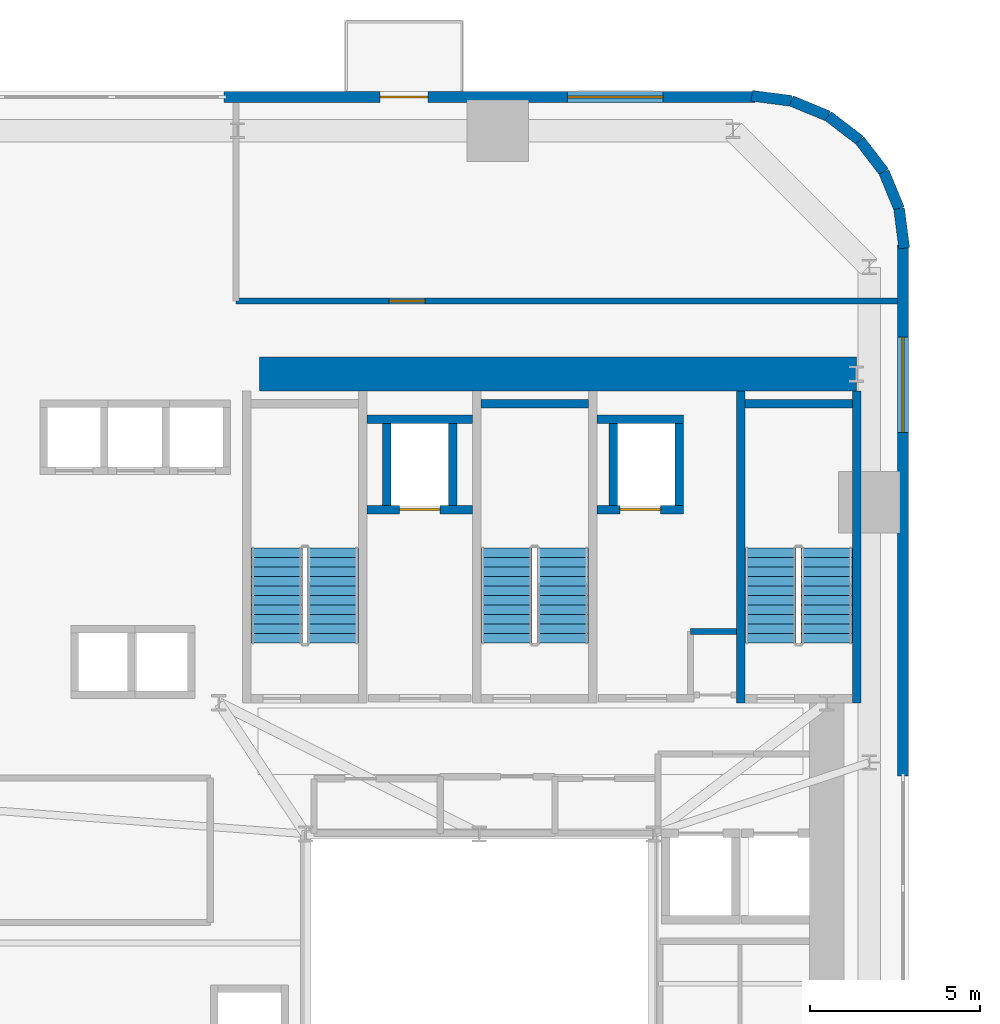
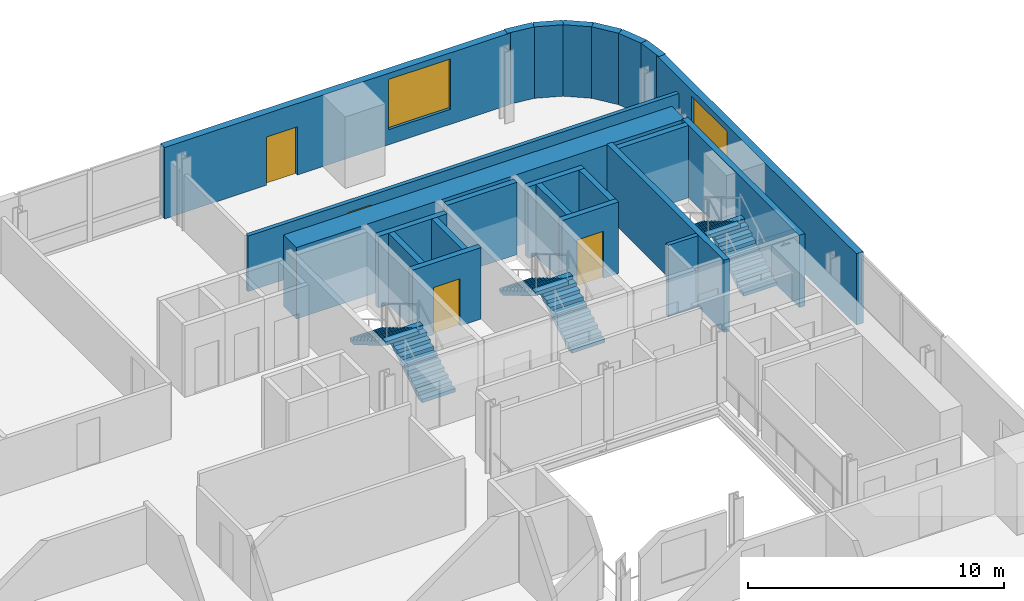
# One storey, part 9 of 11: 23 walls, 6 stair flights, 4 doors, 2 windows, 6 openings, 3 elements without a shape of their own.
"""IFC4 building model written with IfcOpenShell, lengths in metres."""

from ifc_helpers import new_model, si_unit, direction, frame, frame_2d, origin, place, context, subcontext, project, spatial, polyline, rectangle, outline, extrude, source, transform, mapped, material, layer, layer_set, type_object, element, fill, aggregate, save


model = new_model("IFC4")

# Units and contexts
model_context = context("Model", 3, precision=1e-05, world=origin(), true_north=direction((0.0, 1.0)))
body_context = subcontext(model_context, "Body", "Model", "MODEL_VIEW")
ifc_project = project(units=[si_unit("LENGTHUNIT", "METRE"), si_unit("AREAUNIT", "SQUARE_METRE"), si_unit("VOLUMEUNIT", "CUBIC_METRE"), si_unit("PLANEANGLEUNIT", "RADIAN"), si_unit("MASSUNIT", "GRAM", prefix="KILO")], contexts=[model_context])

# Site, building, storey
site_placement = place(None, origin())
site = spatial("IfcSite", under=ifc_project, at=site_placement, CompositionType="ELEMENT")
building_placement = place(site_placement, origin())
building = spatial("IfcBuilding", under=site, at=building_placement, Name="Vardaveli Station Tower", CompositionType="ELEMENT")
storey_placement = place(building_placement, frame((0.0, 0.0, 78.699951171875)))
storey = spatial("IfcBuildingStorey", under=building, at=storey_placement, Name="L20", CompositionType="ELEMENT", Elevation=78.699951171875)

# Wall
ifc_material_1 = material(Name="Concrete C60/75", Category="concrete")
ifc_layer_1 = layer(ifc_material_1, 1.0, Name="Concrete C60/75")
ifc_layer_set_1 = layer_set([ifc_layer_1], Name="Concrete C60/75")
wall_type_1 = type_object("IfcWallType", Name="WAL-CORE-1000", PredefinedType="SHEAR", material=ifc_layer_set_1)
shared_shape_1 = source(origin(), body_context, "Body", "SweptSolid", [
    extrude(rectangle(XDim=17.52001953125, YDim=1.0, at=frame_2d((8.760009765625, 0.0))), origin(), (0.0, 0.0, 1.0), 3.41015625),
])
wall_1_placement = place(storey_placement, frame((29.85009765625, 40.300048828125, 0.0), z_axis=(0.0, 0.0, 1.0), x_axis=(1.0, 0.0, 0.0)))
element("IfcWall", 1, at=wall_1_placement, inside=storey, type_object=wall_type_1, Name="SW-L20-NORTH", PredefinedType="SHEAR", context=body_context, shape_type="MappedRepresentation", body=[
    mapped(shared_shape_1, transform((0.0, 0.0, 0.0), scale=1.0)),
])

# Wall, openings, door, window
ifc_material_2 = material(Name="Precast concrete C45/55", Category="concrete")
ifc_layer_2 = layer(ifc_material_2, 0.320068359375, Name="Precast concrete C45/55")
ifc_layer_set_2 = layer_set([ifc_layer_2], Name="Precast concrete C45/55")
wall_type_2 = type_object("IfcWallType", Name="WAL-EXT-STONE-320", PredefinedType="SOLIDWALL", material=ifc_layer_set_2)
shared_shape_2 = source(origin(), body_context, "Body", "SweptSolid", [
    extrude(rectangle(XDim=15.599853515625, YDim=0.320068359375, at=frame_2d((7.7998046875, 0.0))), origin(), (0.0, 0.0, 1.0), 3.41015625),
])
wall_2_placement = place(storey_placement, frame((44.39990234375, 48.43994140625, 0.0), z_axis=(0.0, 0.0, 1.0), x_axis=(-1.0, 0.0, 0.0)))
wall_2 = element("IfcWall", 2, at=wall_2_placement, inside=storey, type_object=wall_type_2, Name="EW-L20-N1", PredefinedType="SOLIDWALL", context=body_context, shape_type="MappedRepresentation", body=[
    mapped(shared_shape_2, transform((0.0, 0.0, 0.0), scale=1.0)),
])
shared_shape_3 = source(origin(), body_context, "Body", "SweptSolid", [
    extrude(rectangle(XDim=1.39990234375, YDim=2.300048828125, at=frame_2d((0.699951171875, 1.14990234375))), frame((0.0, 0.169921875, 0.0), z_axis=(0.0, -1.0, 0.0), x_axis=(1.0, 0.0, 0.0)), (0.0, 0.0, 1.0), 0.340087890625),
])
opening_1_placement = place(wall_2_placement, frame((9.6103515625, 0.0, 0.0)))
opening_1 = element("IfcOpeningElement", 3, at=opening_1_placement, cuts=wall_2, Name="Opening D-09", PredefinedType="OPENING", context=body_context, shape_type="MappedRepresentation", body=[
    mapped(shared_shape_3, transform((0.0, 0.0, 0.0), scale=1.0)),
])
shared_shape_4 = source(origin(), body_context, "Body", "SweptSolid", [
    extrude(rectangle(XDim=2.800048828125, YDim=2.39990234375, at=frame_2d((1.39990234375, 1.199951171875))), frame((0.0, 0.169921875, 0.0), z_axis=(0.0, -1.0, 0.0), x_axis=(1.0, 0.0, 0.0)), (0.0, 0.0, 1.0), 0.340087890625),
])
opening_2_placement = place(wall_2_placement, frame((2.705078125, 0.0, 0.719970703125)))
opening_2 = element("IfcOpeningElement", 4, at=opening_2_placement, cuts=wall_2, Name="Opening W-04", PredefinedType="OPENING", context=body_context, shape_type="MappedRepresentation", body=[
    mapped(shared_shape_4, transform((0.0, 0.0, 0.0), scale=1.0)),
])
ifc_material_3 = material(Name="Thermally broken aluminium glass", Category="aluminium")
door_type_1 = type_object("IfcDoorType", Name="DR-LOG-1400x2300", OperationType="DOUBLE_DOOR_SLIDING", PredefinedType="DOOR", material=ifc_material_3)
shared_shape_5 = source(origin(), body_context, "Body", "SweptSolid", [
    extrude(rectangle(XDim=1.39990234375, YDim=2.300048828125, at=frame_2d((0.699951171875, 1.14990234375))), frame((0.0, 0.02490234375, 0.0), z_axis=(0.0, -1.0, 0.0), x_axis=(1.0, 0.0, 0.0)), (0.0, 0.0, 1.0), 0.050048828125),
])
door_1_placement = place(opening_1_placement, frame((1.39990234375, 0.0, 0.0), z_axis=(0.0, 0.0, 1.0), x_axis=(-1.0, 0.0, 0.0)))
door_1 = element("IfcDoor", 5, at=door_1_placement, inside=storey, type_object=door_type_1, Name="DLG-L20-N", OperationType="DOUBLE_DOOR_SLIDING", OverallHeight=2.300048828125, OverallWidth=1.39990234375, PredefinedType="DOOR", context=body_context, shape_type="MappedRepresentation", body=[
    mapped(shared_shape_5, transform((0.0, 0.0, 0.0), scale=1.0)),
])
fill(opening_1, door_1)
ifc_material_4 = material(Name="Low-E solar-control glass", Category="glass")
window_type = type_object("IfcWindowType", Name="WIN-SUITE-2800x2400", PartitioningType="SINGLE_PANEL", PredefinedType="WINDOW", material=ifc_material_4)
shared_shape_6 = source(origin(), body_context, "Body", "SweptSolid", [
    extrude(rectangle(XDim=2.800048828125, YDim=2.39990234375, at=frame_2d((1.39990234375, 1.199951171875))), frame((0.0, 0.030029296875, 0.0), z_axis=(0.0, -1.0, 0.0), x_axis=(1.0, 0.0, 0.0)), (0.0, 0.0, 1.0), 0.06005859375),
])
window_1_placement = place(opening_2_placement, origin())
window_1 = element("IfcWindow", 6, at=window_1_placement, inside=storey, type_object=window_type, Name="WN-L20-N1", OverallHeight=2.39990234375, OverallWidth=2.800048828125, PartitioningType="SINGLE_PANEL", PredefinedType="WINDOW", context=body_context, shape_type="MappedRepresentation", body=[
    mapped(shared_shape_6, transform((0.0, 0.0, 0.0), scale=1.0)),
])
fill(opening_2, window_1)

# Wall, opening, window
shared_shape_7 = source(origin(), body_context, "Body", "SweptSolid", [
    extrude(rectangle(XDim=15.60009765625, YDim=0.320068359375, at=frame_2d((7.800048828125, 0.0))), origin(), (0.0, 0.0, 1.0), 3.41015625),
])
wall_3_placement = place(storey_placement, frame((48.739990234375, 28.5, 0.0), z_axis=(0.0, 0.0, 1.0), x_axis=(0.0, 1.0, 0.0)))
wall_3 = element("IfcWall", 7, at=wall_3_placement, inside=storey, type_object=wall_type_2, Name="EW-L20-E2", PredefinedType="SOLIDWALL", context=body_context, shape_type="MappedRepresentation", body=[
    mapped(shared_shape_7, transform((0.0, 0.0, 0.0), scale=1.0)),
])
opening_3_placement = place(wall_3_placement, frame((10.094970703125, 0.0, 0.719970703125)))
opening_3 = element("IfcOpeningElement", 8, at=opening_3_placement, cuts=wall_3, Name="Opening W-04", PredefinedType="OPENING", context=body_context, shape_type="MappedRepresentation", body=[
    mapped(shared_shape_4, transform((0.0, 0.0, 0.0), scale=1.0)),
])
window_2_placement = place(opening_3_placement, origin())
window_2 = element("IfcWindow", 9, at=window_2_placement, inside=storey, type_object=window_type, Name="WN-L20-E2", OverallHeight=2.39990234375, OverallWidth=2.800048828125, PartitioningType="SINGLE_PANEL", PredefinedType="WINDOW", context=body_context, shape_type="MappedRepresentation", body=[
    mapped(shared_shape_6, transform((0.0, 0.0, 0.0), scale=1.0)),
])
fill(opening_3, window_2)

# Walls
shared_shape_8 = source(origin(), body_context, "Body", "SweptSolid", [
    extrude(rectangle(XDim=1.1689453125, YDim=0.320068359375, at=frame_2d((0.58447265625, 0.0))), origin(), (0.0, 0.0, 1.0), 3.41015625),
])
wall_4_placement = place(storey_placement, frame((48.179931640625, 46.2412109375, 0.0), z_axis=(0.0, 0.0, 1.0), x_axis=(-0.608387696831, 0.793639975269, 0.0)))
element("IfcWall", 10, at=wall_4_placement, inside=storey, type_object=wall_type_2, Name="EW-L20-CR3-3", PredefinedType="SOLIDWALL", context=body_context, shape_type="MappedRepresentation", body=[
    mapped(shared_shape_8, transform((0.0, 0.0, 0.0), scale=1.0)),
])
shared_shape_9 = source(origin(), body_context, "Body", "SweptSolid", [
    extrude(rectangle(XDim=1.168701171875, YDim=0.320068359375, at=frame_2d((0.58447265625, 0.0))), origin(), (0.0, 0.0, 1.0), 3.41015625),
])
wall_5_placement = place(storey_placement, frame((47.46875, 47.1689453125, 0.0), z_axis=(0.0, 0.0, 1.0), x_axis=(-0.793663520347, 0.608356981114, 0.0)))
element("IfcWall", 11, at=wall_5_placement, inside=storey, type_object=wall_type_2, Name="EW-L20-CR3-4", PredefinedType="SOLIDWALL", context=body_context, shape_type="MappedRepresentation", body=[
    mapped(shared_shape_9, transform((0.0, 0.0, 0.0), scale=1.0)),
])
shared_shape_10 = source(origin(), body_context, "Body", "SweptSolid", [
    extrude(rectangle(XDim=1.17041015625, YDim=0.320068359375, at=frame_2d((0.585205078125, 0.0))), origin(), (0.0, 0.0, 1.0), 3.41015625),
])
for number, where, z_axis, x_axis, name in (
    (12, (48.775634765625, 43.99951171875, 0.0), (0.0, 0.0, 1.0), (-0.128295670475, 0.991735963317, 0.0), "EW-L20-CR3-1"),
    (13, (45.460205078125, 48.325439453125, 0.0), (0.0, 0.0, 1.0), (-0.991735963317, 0.128295670475, 0.0), "EW-L20-CR3-6"),
):
    element("IfcWall", number, at=place(storey_placement, frame(where, z_axis=z_axis, x_axis=x_axis)), inside=storey, type_object=wall_type_2, Name=name, PredefinedType="SOLIDWALL", context=body_context, shape_type="MappedRepresentation", body=[
        mapped(shared_shape_10, transform((0.0, 0.0, 0.0), scale=1.0)),
    ])
shared_shape_11 = source(origin(), body_context, "Body", "SweptSolid", [
    extrude(rectangle(XDim=1.169189453125, YDim=0.320068359375, at=frame_2d((0.58447265625, 0.0))), origin(), (0.0, 0.0, 1.0), 3.41015625),
])
for number, where, z_axis, x_axis, name in (
    (14, (48.62548828125, 45.16015625, 0.0), (0.0, 0.0, 1.0), (-0.381054331552, 0.924552646638, 0.0), "EW-L20-CR3-2"),
    (15, (46.541259765625, 47.8798828125, 0.0), (0.0, 0.0, 1.0), (-0.924552646638, 0.381054331552, 0.0), "EW-L20-CR3-5"),
):
    element("IfcWall", number, at=place(storey_placement, frame(where, z_axis=z_axis, x_axis=x_axis)), inside=storey, type_object=wall_type_2, Name=name, PredefinedType="SOLIDWALL", context=body_context, shape_type="MappedRepresentation", body=[
        mapped(shared_shape_11, transform((0.0, 0.0, 0.0), scale=1.0)),
    ])
ifc_material_5 = material(Name="Concrete C40/50", Category="concrete")
ifc_layer_3 = layer(ifc_material_5, 0.25, Name="Concrete C40/50")
ifc_layer_set_3 = layer_set([ifc_layer_3], Name="Concrete C40/50")
wall_type_3 = type_object("IfcWallType", Name="WAL-SHAFT-250", PredefinedType="SOLIDWALL", material=ifc_layer_set_3)
shared_shape_12 = source(origin(), body_context, "Body", "SweptSolid", [
    extrude(rectangle(XDim=9.150146484375, YDim=0.25, at=frame_2d((4.5751953125, 0.0))), origin(), (0.0, 0.0, 1.0), 3.449951171875),
])
for number, where, z_axis, x_axis, name in (
    (16, (43.97509765625, 30.64990234375, 0.0), (0.0, 0.0, 1.0), (0.0, 1.0, 0.0), "W-L20-ST-3W"),
    (17, (47.375, 30.64990234375, 0.0), (0.0, 0.0, 1.0), (0.0, 1.0, 0.0), "W-L20-ST-3E"),
):
    element("IfcWall", number, at=place(storey_placement, frame(where, z_axis=z_axis, x_axis=x_axis)), inside=storey, type_object=wall_type_3, Name=name, PredefinedType="SOLIDWALL", context=body_context, shape_type="MappedRepresentation", body=[
        mapped(shared_shape_12, transform((0.0, 0.0, 0.0), scale=1.0)),
    ])
shared_shape_13 = source(origin(), body_context, "Body", "SweptSolid", [
    extrude(rectangle(XDim=3.14990234375, YDim=0.25, at=frame_2d((1.574951171875, 0.0))), origin(), (0.0, 0.0, 1.0), 3.449951171875),
])
for number, where, z_axis, x_axis, name in (
    (18, (36.35009765625, 39.425048828125, 0.0), (0.0, 0.0, 1.0), (1.0, 0.0, 0.0), "W-L20-ST-2N"),
    (19, (44.10009765625, 39.425048828125, 0.0), (0.0, 0.0, 1.0), (1.0, 0.0, 0.0), "W-L20-ST-3N"),
):
    element("IfcWall", number, at=place(storey_placement, frame(where, z_axis=z_axis, x_axis=x_axis)), inside=storey, type_object=wall_type_3, Name=name, PredefinedType="SOLIDWALL", context=body_context, shape_type="MappedRepresentation", body=[
        mapped(shared_shape_13, transform((0.0, 0.0, 0.0), scale=1.0)),
    ])

# Wall, opening, door
shared_shape_14 = source(origin(), body_context, "Body", "SweptSolid", [
    extrude(rectangle(XDim=3.10009765625, YDim=0.25, at=frame_2d((1.550048828125, 0.0))), origin(), (0.0, 0.0, 1.0), 3.41015625),
])
wall_6_placement = place(storey_placement, frame((33.0, 36.324951171875, 0.0), z_axis=(0.0, 0.0, 1.0), x_axis=(1.0, 0.0, 0.0)))
wall_6 = element("IfcWall", 20, at=wall_6_placement, inside=storey, type_object=wall_type_3, Name="SHW-FFL-01-L20-S", PredefinedType="SOLIDWALL", context=body_context, shape_type="MappedRepresentation", body=[
    mapped(shared_shape_14, transform((0.0, 0.0, 0.0), scale=1.0)),
])
shared_shape_15 = source(origin(), body_context, "Body", "SweptSolid", [
    extrude(rectangle(XDim=1.199951171875, YDim=2.25, at=frame_2d((0.60009765625, 1.125))), frame((0.0, 0.135009765625, 0.0), z_axis=(0.0, -1.0, 0.0), x_axis=(1.0, 0.0, 0.0)), (0.0, 0.0, 1.0), 0.27001953125),
])
opening_4_placement = place(wall_6_placement, frame((0.949951171875, 0.0, 0.0)))
opening_4 = element("IfcOpeningElement", 21, at=opening_4_placement, cuts=wall_6, Name="Opening LD-02", PredefinedType="OPENING", context=body_context, shape_type="MappedRepresentation", body=[
    mapped(shared_shape_15, transform((0.0, 0.0, 0.0), scale=1.0)),
])
ifc_material_6 = material(Name="Brushed stainless steel", Category="steel")
door_type_2 = type_object("IfcDoorType", Name="DR-LD-1200x2250", OperationType="DOUBLE_DOOR_SLIDING", PredefinedType="DOOR", material=ifc_material_6)
shared_shape_16 = source(origin(), body_context, "Body", "SweptSolid", [
    extrude(rectangle(XDim=1.199951171875, YDim=2.25, at=frame_2d((0.60009765625, 1.125))), frame((0.0, 0.02490234375, 0.0), z_axis=(0.0, -1.0, 0.0), x_axis=(1.0, 0.0, 0.0)), (0.0, 0.0, 1.0), 0.050048828125),
])
door_2_placement = place(opening_4_placement, origin())
door_2 = element("IfcDoor", 22, at=door_2_placement, inside=storey, type_object=door_type_2, Name="LD-FFL-01-L20", OperationType="DOUBLE_DOOR_SLIDING", OverallHeight=2.25, OverallWidth=1.199951171875, PredefinedType="DOOR", context=body_context, shape_type="MappedRepresentation", body=[
    mapped(shared_shape_16, transform((0.0, 0.0, 0.0), scale=1.0)),
])
fill(opening_4, door_2)

# Walls
wall_7_placement = place(storey_placement, frame((33.0, 38.97509765625, 0.0), z_axis=(0.0, 0.0, 1.0), x_axis=(1.0, 0.0, 0.0)))
element("IfcWall", 23, at=wall_7_placement, inside=storey, type_object=wall_type_3, Name="SHW-FFL-01-L20-N", PredefinedType="SOLIDWALL", context=body_context, shape_type="MappedRepresentation", body=[
    mapped(shared_shape_14, transform((0.0, 0.0, 0.0), scale=1.0)),
])
shared_shape_17 = source(origin(), body_context, "Body", "SweptSolid", [
    extrude(rectangle(XDim=2.400146484375, YDim=0.25, at=frame_2d((1.2001953125, 0.0))), origin(), (0.0, 0.0, 1.0), 3.41015625),
])
for number, where, z_axis, x_axis, name in (
    (24, (33.574951171875, 36.449951171875, 0.0), (0.0, 0.0, 1.0), (0.0, 1.0, 0.0), "SHW-FFL-01-L20-W"),
    (25, (35.52490234375, 36.449951171875, 0.0), (0.0, 0.0, 1.0), (0.0, 1.0, 0.0), "SHW-FFL-01-L20-E"),
    (26, (40.22509765625, 36.449951171875, 0.0), (0.0, 0.0, 1.0), (0.0, 1.0, 0.0), "SHW-FFL-02-L20-W"),
    (27, (42.175048828125, 36.449951171875, 0.0), (0.0, 0.0, 1.0), (0.0, 1.0, 0.0), "SHW-FFL-02-L20-E"),
):
    element("IfcWall", number, at=place(storey_placement, frame(where, z_axis=z_axis, x_axis=x_axis)), inside=storey, type_object=wall_type_3, Name=name, PredefinedType="SOLIDWALL", context=body_context, shape_type="MappedRepresentation", body=[
        mapped(shared_shape_17, transform((0.0, 0.0, 0.0), scale=1.0)),
    ])

# Wall, opening, door
shared_shape_18 = source(origin(), body_context, "Body", "SweptSolid", [
    extrude(rectangle(XDim=2.550048828125, YDim=0.25, at=frame_2d((1.27490234375, 0.0))), origin(), (0.0, 0.0, 1.0), 3.41015625),
])
wall_8_placement = place(storey_placement, frame((39.75, 36.324951171875, 0.0), z_axis=(0.0, 0.0, 1.0), x_axis=(1.0, 0.0, 0.0)))
wall_8 = element("IfcWall", 28, at=wall_8_placement, inside=storey, type_object=wall_type_3, Name="SHW-FFL-02-L20-S", PredefinedType="SOLIDWALL", context=body_context, shape_type="MappedRepresentation", body=[
    mapped(shared_shape_18, transform((0.0, 0.0, 0.0), scale=1.0)),
])
opening_5_placement = place(wall_8_placement, frame((0.675048828125, 0.0, 0.0)))
opening_5 = element("IfcOpeningElement", 29, at=opening_5_placement, cuts=wall_8, Name="Opening LD-02", PredefinedType="OPENING", context=body_context, shape_type="MappedRepresentation", body=[
    mapped(shared_shape_15, transform((0.0, 0.0, 0.0), scale=1.0)),
])
door_3_placement = place(opening_5_placement, origin())
door_3 = element("IfcDoor", 30, at=door_3_placement, inside=storey, type_object=door_type_2, Name="LD-FFL-02-L20", OperationType="DOUBLE_DOOR_SLIDING", OverallHeight=2.25, OverallWidth=1.199951171875, PredefinedType="DOOR", context=body_context, shape_type="MappedRepresentation", body=[
    mapped(shared_shape_16, transform((0.0, 0.0, 0.0), scale=1.0)),
])
fill(opening_5, door_3)

# Wall
wall_9_placement = place(storey_placement, frame((39.75, 38.97509765625, 0.0), z_axis=(0.0, 0.0, 1.0), x_axis=(1.0, 0.0, 0.0)))
element("IfcWall", 31, at=wall_9_placement, inside=storey, type_object=wall_type_3, Name="SHW-FFL-02-L20-N", PredefinedType="SOLIDWALL", context=body_context, shape_type="MappedRepresentation", body=[
    mapped(shared_shape_18, transform((0.0, 0.0, 0.0), scale=1.0)),
])

# Wall, opening, door
ifc_material_7 = material(Name="Fire-rated gypsum stud partition")
ifc_layer_4 = layer(ifc_material_7, 0.179931640625, Name="Fire-rated gypsum stud partition")
ifc_layer_set_4 = layer_set([ifc_layer_4], Name="Fire-rated gypsum stud partition")
wall_type_4 = type_object("IfcWallType", Name="WAL-CORR-180", PredefinedType="PARTITIONING", material=ifc_layer_set_4)
shared_shape_19 = source(origin(), body_context, "Body", "SweptSolid", [
    extrude(rectangle(XDim=19.427978515625, YDim=0.179931640625, at=frame_2d((9.7138671875, 0.0))), origin(), (0.0, 0.0, 1.0), 2.652099609375),
])
wall_10_placement = place(storey_placement, frame((29.14990234375, 42.449951171875, 0.0), z_axis=(0.0, 0.0, 1.0), x_axis=(1.0, 0.0, 0.0)))
wall_10 = element("IfcWall", 32, at=wall_10_placement, inside=storey, type_object=wall_type_4, Name="W-L20-NPS", PredefinedType="PARTITIONING", context=body_context, shape_type="MappedRepresentation", body=[
    mapped(shared_shape_19, transform((0.0, 0.0, 0.0), scale=1.0)),
])
shared_shape_20 = source(origin(), body_context, "Body", "SweptSolid", [
    extrude(rectangle(XDim=1.050048828125, YDim=2.199951171875, at=frame_2d((0.52490234375, 1.10009765625))), frame((0.0, 0.10009765625, 0.0), z_axis=(0.0, -1.0, 0.0), x_axis=(1.0, 0.0, 0.0)), (0.0, 0.0, 1.0), 0.199951171875),
])
opening_6_placement = place(wall_10_placement, frame((4.5, 0.0, 0.0)))
opening_6 = element("IfcOpeningElement", 33, at=opening_6_placement, cuts=wall_10, Name="Opening D-05", PredefinedType="OPENING", context=body_context, shape_type="MappedRepresentation", body=[
    mapped(shared_shape_20, transform((0.0, 0.0, 0.0), scale=1.0)),
])
ifc_material_8 = material(Name="Walnut veneer acoustic fire door")
door_type_3 = type_object("IfcDoorType", Name="DR-SUITE-1050x2200", OperationType="NOTDEFINED", PredefinedType="DOOR", material=ifc_material_8)
shared_shape_21 = source(origin(), body_context, "Body", "SweptSolid", [
    extrude(rectangle(XDim=1.050048828125, YDim=2.199951171875, at=frame_2d((0.52490234375, 1.10009765625))), frame((0.0, 0.02490234375, 0.0), z_axis=(0.0, -1.0, 0.0), x_axis=(1.0, 0.0, 0.0)), (0.0, 0.0, 1.0), 0.050048828125),
])
door_4_placement = place(opening_6_placement, origin())
door_4 = element("IfcDoor", 34, at=door_4_placement, inside=storey, type_object=door_type_3, Name="D-L20-NP1", OperationType="SINGLE_SWING_RIGHT", OverallHeight=2.199951171875, OverallWidth=1.050048828125, PredefinedType="DOOR", context=body_context, shape_type="MappedRepresentation", body=[
    mapped(shared_shape_21, transform((0.0, 0.0, 0.0), scale=1.0)),
])
fill(opening_6, door_4)

# Wall
shared_shape_22 = source(origin(), body_context, "Body", "SweptSolid", [
    extrude(rectangle(XDim=1.347900390625, YDim=0.179931640625, at=frame_2d((0.673828125, 0.0))), origin(), (0.0, 0.0, 1.0), 3.41015625),
])
wall_11_placement = place(storey_placement, frame((42.5, 32.75, 0.0), z_axis=(0.0, 0.0, 1.0), x_axis=(1.0, 0.0, 0.0)))
element("IfcWall", 35, at=wall_11_placement, inside=storey, type_object=wall_type_4, Name="W-L20-CBS2A-N", PredefinedType="PARTITIONING", context=body_context, shape_type="MappedRepresentation", body=[
    mapped(shared_shape_22, transform((0.0, 0.0, 0.0), scale=1.0)),
])

# Stair, stair flights
stair_type = type_object("IfcStairType", Name="STR-CORE-1500", PredefinedType="HALF_TURN_STAIR", material=ifc_material_5)
stair_1_placement = place(storey_placement, origin())
stair_1 = element("IfcStair", 36, at=stair_1_placement, inside=storey, type_object=stair_type, Name="L20 ST-1", PredefinedType="HALF_TURN_STAIR")
stair_flight_type = type_object("IfcStairFlightType", Name="SFL-CORE-1500", PredefinedType="STRAIGHT", material=ifc_material_5)
shared_shape_23 = source(origin(), body_context, "Body", "SweptSolid", [
    extrude(outline(polyline([(0.0, 0.0), (0.0, 0.166015625), (0.280029296875, 0.166015625), (0.280029296875, 0.331787109375), (0.56005859375, 0.331787109375), (0.56005859375, 0.497802734375), (0.840087890625, 0.497802734375), (0.840087890625, 0.66357421875), (1.1201171875, 0.66357421875), (1.1201171875, 0.82958984375), (1.39990234375, 0.82958984375), (1.39990234375, 0.995361328125), (1.679931640625, 0.995361328125), (1.679931640625, 1.161376953125), (1.9599609375, 1.161376953125), (1.9599609375, 1.327392578125), (2.239990234375, 1.327392578125), (2.239990234375, 1.4931640625), (2.52001953125, 1.4931640625), (2.52001953125, 1.6591796875), (2.800048828125, 1.6591796875), (2.800048828125, 1.824951171875), (2.800048828125, 1.48486328125), (0.2939453125, 0.0), (0.0, 0.0)])), frame((0.0, 0.75, 0.0), z_axis=(0.0, -1.0, 0.0), x_axis=(1.0, 0.0, 0.0)), (0.0, 0.0, 1.0), 1.5),
])
stair_flight_1_placement = place(storey_placement, frame((32.0, 32.39990234375, 0.0), z_axis=(0.0, 0.0, 1.0), x_axis=(0.0, 1.0, 0.0)))
stair_flight_1 = element("IfcStairFlight", 37, at=stair_flight_1_placement, type_object=stair_flight_type, Name="ST-1 flight 1", NumberOfRisers=11, NumberOfTreads=10, PredefinedType="STRAIGHT", RiserHeight=0.165909091, TreadLength=0.28, context=body_context, shape_type="MappedRepresentation", body=[
    mapped(shared_shape_23, transform((0.0, 0.0, 0.0), scale=1.0)),
])
stair_flight_2_placement = place(storey_placement, frame((30.35009765625, 35.199951171875, 1.824951171875), z_axis=(0.0, 0.0, 1.0), x_axis=(0.0, -1.0, 0.0)))
stair_flight_2 = element("IfcStairFlight", 38, at=stair_flight_2_placement, type_object=stair_flight_type, Name="ST-1 flight 2", NumberOfRisers=11, NumberOfTreads=10, PredefinedType="STRAIGHT", RiserHeight=0.165909091, TreadLength=0.28, context=body_context, shape_type="MappedRepresentation", body=[
    mapped(shared_shape_23, transform((0.0, 0.0, 0.0), scale=1.0)),
])
aggregate(stair_1, [stair_flight_1, stair_flight_2])

stair_2_placement = place(storey_placement, origin())
stair_2 = element("IfcStair", 39, at=stair_2_placement, inside=storey, type_object=stair_type, Name="L20 ST-2", PredefinedType="HALF_TURN_STAIR")
stair_flight_3_placement = place(storey_placement, frame((38.75, 32.39990234375, 0.0), z_axis=(0.0, 0.0, 1.0), x_axis=(0.0, 1.0, 0.0)))
stair_flight_3 = element("IfcStairFlight", 40, at=stair_flight_3_placement, type_object=stair_flight_type, Name="ST-2 flight 1", NumberOfRisers=11, NumberOfTreads=10, PredefinedType="STRAIGHT", RiserHeight=0.165909091, TreadLength=0.28, context=body_context, shape_type="MappedRepresentation", body=[
    mapped(shared_shape_23, transform((0.0, 0.0, 0.0), scale=1.0)),
])
stair_flight_4_placement = place(storey_placement, frame((37.10009765625, 35.199951171875, 1.824951171875), z_axis=(0.0, 0.0, 1.0), x_axis=(0.0, -1.0, 0.0)))
stair_flight_4 = element("IfcStairFlight", 41, at=stair_flight_4_placement, type_object=stair_flight_type, Name="ST-2 flight 2", NumberOfRisers=11, NumberOfTreads=10, PredefinedType="STRAIGHT", RiserHeight=0.165909091, TreadLength=0.28, context=body_context, shape_type="MappedRepresentation", body=[
    mapped(shared_shape_23, transform((0.0, 0.0, 0.0), scale=1.0)),
])
aggregate(stair_2, [stair_flight_3, stair_flight_4])

stair_3_placement = place(storey_placement, origin())
stair_3 = element("IfcStair", 42, at=stair_3_placement, inside=storey, type_object=stair_type, Name="L20 ST-3", PredefinedType="HALF_TURN_STAIR")
stair_flight_5_placement = place(storey_placement, frame((46.5, 32.39990234375, 0.0), z_axis=(0.0, 0.0, 1.0), x_axis=(0.0, 1.0, 0.0)))
stair_flight_5 = element("IfcStairFlight", 43, at=stair_flight_5_placement, type_object=stair_flight_type, Name="ST-3 flight 1", NumberOfRisers=11, NumberOfTreads=10, PredefinedType="STRAIGHT", RiserHeight=0.165909091, TreadLength=0.28, context=body_context, shape_type="MappedRepresentation", body=[
    mapped(shared_shape_23, transform((0.0, 0.0, 0.0), scale=1.0)),
])
stair_flight_6_placement = place(storey_placement, frame((44.85009765625, 35.199951171875, 1.824951171875), z_axis=(0.0, 0.0, 1.0), x_axis=(0.0, -1.0, 0.0)))
stair_flight_6 = element("IfcStairFlight", 44, at=stair_flight_6_placement, type_object=stair_flight_type, Name="ST-3 flight 2", NumberOfRisers=11, NumberOfTreads=10, PredefinedType="STRAIGHT", RiserHeight=0.165909091, TreadLength=0.28, context=body_context, shape_type="MappedRepresentation", body=[
    mapped(shared_shape_23, transform((0.0, 0.0, 0.0), scale=1.0)),
])
aggregate(stair_3, [stair_flight_5, stair_flight_6])

save(model, "model.ifc")
